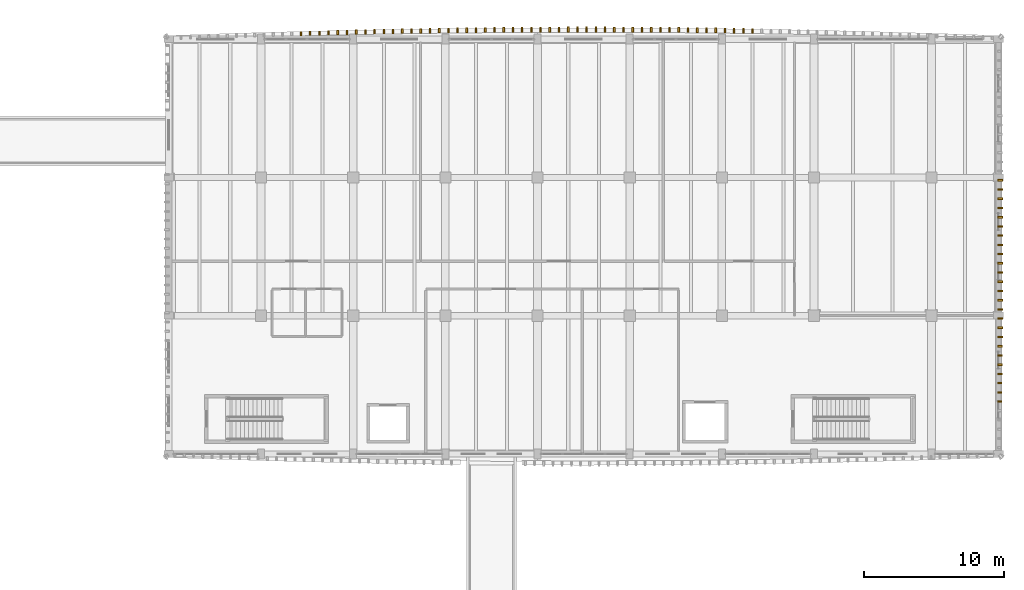
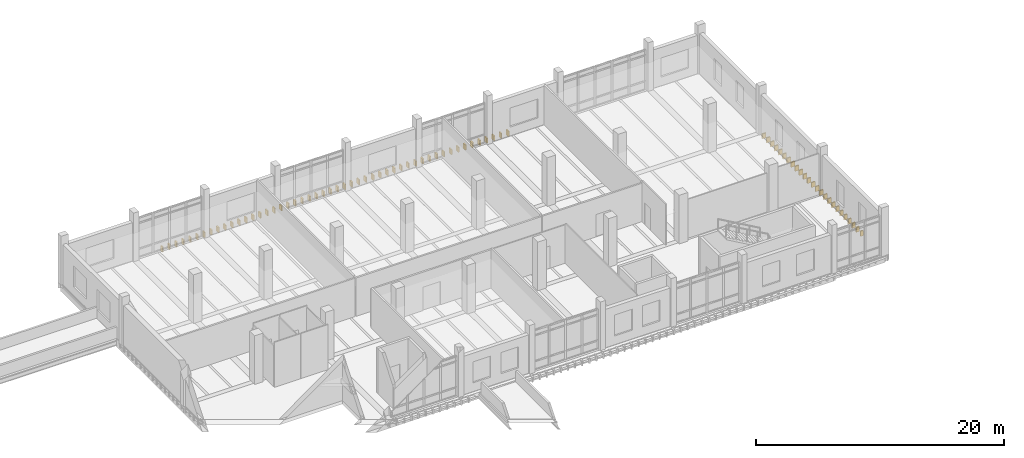
# One storey, part 100 of 101: 75 coverings.
"""IFC4 building model written with IfcOpenShell, lengths in metres."""

from ifc_helpers import new_model, si_unit, direction, frame, origin, origin_2d, place, context, subcontext, project, spatial, rectangle, extrude, material, layer, layer_set, type_object, element, save


model = new_model("IFC4")

# Units and contexts
model_context = context("Model", 3, precision=1e-05, world=origin(), true_north=direction((0.0, 1.0)))
body_context = subcontext(model_context, "Body", "Model", "MODEL_VIEW")
ifc_project = project(units=[si_unit("LENGTHUNIT", "METRE"), si_unit("AREAUNIT", "SQUARE_METRE"), si_unit("VOLUMEUNIT", "CUBIC_METRE"), si_unit("PLANEANGLEUNIT", "RADIAN"), si_unit("MASSUNIT", "GRAM", prefix="KILO")], contexts=[model_context])

# Site, building, storey
site_placement = place(None, origin())
site = spatial("IfcSite", under=ifc_project, at=site_placement, CompositionType="ELEMENT")
building_placement = place(site_placement, origin())
building = spatial("IfcBuilding", under=site, at=building_placement, Name="Dornvale Research Institute", CompositionType="ELEMENT")
storey_placement = place(building_placement, frame((0.0, 0.0, 10.199951171875)))
storey = spatial("IfcBuildingStorey", under=building, at=storey_placement, Name="L02", CompositionType="ELEMENT", Elevation=10.199951171875)

# Coverings
ifc_material = material(Name="Polychrome Glazed Terracotta Visor Rib Ceramic", Category="masonry")
ifc_layer = layer(ifc_material, 0.1201171875)
ifc_layer_set = layer_set([ifc_layer], Name="Polychrome Glazed Terracotta Visor Rib Ceramic")
covering_type = type_object("IfcCoveringType", Name="Covering_VisorBlade_Low", PredefinedType="CLADDING", material=ifc_layer_set)
covering_1_placement = place(storey_placement, frame((160.59619140625, 122.684814453125, -0.489990234375), z_axis=(0.0, 0.0, 1.0), x_axis=(0.0, 1.0, 0.0)))
element("IfcCovering", 1, at=covering_1_placement, inside=storey, type_object=covering_type, Name="L02 V4 canted glazed terracotta visor blade #2098", PredefinedType="CLADDING", context=body_context, shape_type="SweptSolid", body=[
    extrude(rectangle(XDim=0.3330078125, YDim=0.1201171875, at=origin_2d()), origin(), (0.0, 0.0, 1.0), 0.5),
])
covering_2_placement = place(storey_placement, frame((159.936279296875, 122.6962890625, -0.489990234375), z_axis=(0.0, 0.0, 1.0), x_axis=(0.0, 1.0, 0.0)))
element("IfcCovering", 2, at=covering_2_placement, inside=storey, type_object=covering_type, Name="L02 V4 canted glazed terracotta visor blade #2099", PredefinedType="CLADDING", context=body_context, shape_type="SweptSolid", body=[
    extrude(rectangle(XDim=0.3359375, YDim=0.1201171875, at=origin_2d()), origin(), (0.0, 0.0, 1.0), 0.5),
])
covering_3_placement = place(storey_placement, frame((159.276611328125, 122.706787109375, -0.489990234375), z_axis=(0.0, 0.0, 1.0), x_axis=(0.0, 1.0, 0.0)))
element("IfcCovering", 3, at=covering_3_placement, inside=storey, type_object=covering_type, Name="L02 V4 canted glazed terracotta visor blade #2100", PredefinedType="CLADDING", context=body_context, shape_type="SweptSolid", body=[
    extrude(rectangle(XDim=0.339111328125, YDim=0.1201171875, at=origin_2d()), origin(), (0.0, 0.0, 1.0), 0.5),
])
covering_4_placement = place(storey_placement, frame((158.616455078125, 122.716552734375, -0.489990234375), z_axis=(0.0, 0.0, 1.0), x_axis=(0.0, 1.0, 0.0)))
element("IfcCovering", 4, at=covering_4_placement, inside=storey, type_object=covering_type, Name="L02 V4 canted glazed terracotta visor blade #2101", PredefinedType="CLADDING", context=body_context, shape_type="SweptSolid", body=[
    extrude(rectangle(XDim=0.341064453125, YDim=0.1201171875, at=origin_2d()), origin(), (0.0, 0.0, 1.0), 0.5),
])
covering_5_placement = place(storey_placement, frame((157.95654296875, 122.725830078125, -0.489990234375), z_axis=(0.0, 0.0, 1.0), x_axis=(0.0, 1.0, 0.0)))
element("IfcCovering", 5, at=covering_5_placement, inside=storey, type_object=covering_type, Name="L02 V4 canted glazed terracotta visor blade #2102", PredefinedType="CLADDING", context=body_context, shape_type="SweptSolid", body=[
    extrude(rectangle(XDim=0.343994140625, YDim=0.1201171875, at=origin_2d()), origin(), (0.0, 0.0, 1.0), 0.5),
])
covering_6_placement = place(storey_placement, frame((157.296630859375, 122.734375, -0.489990234375), z_axis=(0.0, 0.0, 1.0), x_axis=(0.0, 1.0, 0.0)))
element("IfcCovering", 6, at=covering_6_placement, inside=storey, type_object=covering_type, Name="L02 V4 canted glazed terracotta visor blade #2103", PredefinedType="CLADDING", context=body_context, shape_type="SweptSolid", body=[
    extrude(rectangle(XDim=0.345947265625, YDim=0.1201171875, at=origin_2d()), origin(), (0.0, 0.0, 1.0), 0.5),
])
covering_7_placement = place(storey_placement, frame((156.63671875, 122.74267578125, -0.489990234375), z_axis=(0.0, 0.0, 1.0), x_axis=(0.0, 1.0, 0.0)))
element("IfcCovering", 7, at=covering_7_placement, inside=storey, type_object=covering_type, Name="L02 V4 canted glazed terracotta visor blade #2104", PredefinedType="CLADDING", context=body_context, shape_type="SweptSolid", body=[
    extrude(rectangle(XDim=0.347900390625, YDim=0.1201171875, at=origin_2d()), origin(), (0.0, 0.0, 1.0), 0.5),
])
covering_8_placement = place(storey_placement, frame((155.976806640625, 122.749755859375, -0.489990234375), z_axis=(0.0, 0.0, 1.0), x_axis=(0.0, 1.0, 0.0)))
element("IfcCovering", 8, at=covering_8_placement, inside=storey, type_object=covering_type, Name="L02 V4 canted glazed terracotta visor blade #2105", PredefinedType="CLADDING", context=body_context, shape_type="SweptSolid", body=[
    extrude(rectangle(XDim=0.35009765625, YDim=0.1201171875, at=origin_2d()), origin(), (0.0, 0.0, 1.0), 0.5),
])
covering_9_placement = place(storey_placement, frame((155.316650390625, 122.7568359375, -0.489990234375), z_axis=(0.0, 0.0, 1.0), x_axis=(0.0, 1.0, 0.0)))
element("IfcCovering", 9, at=covering_9_placement, inside=storey, type_object=covering_type, Name="L02 V4 canted glazed terracotta visor blade #2106", PredefinedType="CLADDING", context=body_context, shape_type="SweptSolid", body=[
    extrude(rectangle(XDim=0.35205078125, YDim=0.1201171875, at=origin_2d()), origin(), (0.0, 0.0, 1.0), 0.5),
])
covering_10_placement = place(storey_placement, frame((154.65673828125, 122.762451171875, -0.489990234375), z_axis=(0.0, 0.0, 1.0), x_axis=(0.0, 1.0, 0.0)))
element("IfcCovering", 10, at=covering_10_placement, inside=storey, type_object=covering_type, Name="L02 V4 canted glazed terracotta visor blade #2107", PredefinedType="CLADDING", context=body_context, shape_type="SweptSolid", body=[
    extrude(rectangle(XDim=0.35302734375, YDim=0.1201171875, at=origin_2d()), origin(), (0.0, 0.0, 1.0), 0.5),
])
covering_11_placement = place(storey_placement, frame((153.99658203125, 122.768310546875, -0.489990234375), z_axis=(0.0, 0.0, 1.0), x_axis=(0.0, 1.0, 0.0)))
element("IfcCovering", 11, at=covering_11_placement, inside=storey, type_object=covering_type, Name="L02 V4 canted glazed terracotta visor blade #2108", PredefinedType="CLADDING", context=body_context, shape_type="SweptSolid", body=[
    extrude(rectangle(XDim=0.35498046875, YDim=0.1201171875, at=origin_2d()), origin(), (0.0, 0.0, 1.0), 0.5),
])
covering_12_placement = place(storey_placement, frame((153.3369140625, 122.773193359375, -0.489990234375), z_axis=(0.0, 0.0, 1.0), x_axis=(0.0, 1.0, 0.0)))
element("IfcCovering", 12, at=covering_12_placement, inside=storey, type_object=covering_type, Name="L02 V4 canted glazed terracotta visor blade #2109", PredefinedType="CLADDING", context=body_context, shape_type="SweptSolid", body=[
    extrude(rectangle(XDim=0.35595703125, YDim=0.1201171875, at=origin_2d()), origin(), (0.0, 0.0, 1.0), 0.5),
])
covering_13_placement = place(storey_placement, frame((152.6767578125, 122.777099609375, -0.489990234375), z_axis=(0.0, 0.0, 1.0), x_axis=(0.0, 1.0, 0.0)))
element("IfcCovering", 13, at=covering_13_placement, inside=storey, type_object=covering_type, Name="L02 V4 canted glazed terracotta visor blade #2110", PredefinedType="CLADDING", context=body_context, shape_type="SweptSolid", body=[
    extrude(rectangle(XDim=0.35693359375, YDim=0.1201171875, at=origin_2d()), origin(), (0.0, 0.0, 1.0), 0.5),
])
covering_14_placement = place(storey_placement, frame((152.016845703125, 122.781005859375, -0.489990234375), z_axis=(0.0, 0.0, 1.0), x_axis=(0.0, 1.0, 0.0)))
element("IfcCovering", 14, at=covering_14_placement, inside=storey, type_object=covering_type, Name="L02 V4 canted glazed terracotta visor blade #2111", PredefinedType="CLADDING", context=body_context, shape_type="SweptSolid", body=[
    extrude(rectangle(XDim=0.35791015625, YDim=0.1201171875, at=origin_2d()), origin(), (0.0, 0.0, 1.0), 0.5),
])
for number, where, z_axis, x_axis, name in (
    (15, (151.356689453125, 122.7841796875, -0.489990234375), (0.0, 0.0, 1.0), (0.0, 1.0, 0.0), "L02 V4 canted glazed terracotta visor blade #2112"),
    (16, (150.69677734375, 122.7861328125, -0.489990234375), (0.0, 0.0, 1.0), (0.0, 1.0, 0.0), "L02 V4 canted glazed terracotta visor blade #2113"),
):
    element("IfcCovering", number, at=place(storey_placement, frame(where, z_axis=z_axis, x_axis=x_axis)), inside=storey, type_object=covering_type, Name=name, PredefinedType="CLADDING", context=body_context, shape_type="SweptSolid", body=[
        extrude(rectangle(XDim=0.35888671875, YDim=0.1201171875, at=origin_2d()), origin(), (0.0, 0.0, 1.0), 0.5),
    ])
for number, where, z_axis, x_axis, name in (
    (17, (150.036865234375, 122.788330078125, -0.489990234375), (0.0, 0.0, 1.0), (0.0, 1.0, 0.0), "L02 V4 canted glazed terracotta visor blade #2114"),
    (18, (149.376708984375, 122.7890625, -0.489990234375), (0.0, 0.0, 1.0), (0.0, 1.0, 0.0), "L02 V4 canted glazed terracotta visor blade #2115"),
    (19, (148.716796875, 122.789794921875, -0.489990234375), (0.0, 0.0, 1.0), (0.0, 1.0, 0.0), "L02 V4 canted glazed terracotta visor blade #2116"),
    (20, (148.056884765625, 122.78955078125, -0.489990234375), (0.0, 0.0, 1.0), (0.0, 1.0, 0.0), "L02 V4 canted glazed terracotta visor blade #2117"),
    (21, (147.396728515625, 122.788818359375, -0.489990234375), (0.0, 0.0, 1.0), (0.0, 1.0, 0.0), "L02 V4 canted glazed terracotta visor blade #2118"),
):
    element("IfcCovering", number, at=place(storey_placement, frame(where, z_axis=z_axis, x_axis=x_axis)), inside=storey, type_object=covering_type, Name=name, PredefinedType="CLADDING", context=body_context, shape_type="SweptSolid", body=[
        extrude(rectangle(XDim=0.360107421875, YDim=0.1201171875, at=origin_2d()), origin(), (0.0, 0.0, 1.0), 0.5),
    ])
for number, where, z_axis, x_axis, name in (
    (22, (146.73681640625, 122.78759765625, -0.489990234375), (0.0, 0.0, 1.0), (0.0, 1.0, 0.0), "L02 V4 canted glazed terracotta visor blade #2119"),
    (23, (146.076904296875, 122.785400390625, -0.489990234375), (0.0, 0.0, 1.0), (0.0, 1.0, 0.0), "L02 V4 canted glazed terracotta visor blade #2120"),
):
    element("IfcCovering", number, at=place(storey_placement, frame(where, z_axis=z_axis, x_axis=x_axis)), inside=storey, type_object=covering_type, Name=name, PredefinedType="CLADDING", context=body_context, shape_type="SweptSolid", body=[
        extrude(rectangle(XDim=0.35888671875, YDim=0.1201171875, at=origin_2d()), origin(), (0.0, 0.0, 1.0), 0.5),
    ])
covering_15_placement = place(storey_placement, frame((145.416748046875, 122.782958984375, -0.489990234375), z_axis=(0.0, 0.0, 1.0), x_axis=(0.0, 1.0, 0.0)))
element("IfcCovering", 24, at=covering_15_placement, inside=storey, type_object=covering_type, Name="L02 V4 canted glazed terracotta visor blade #2121", PredefinedType="CLADDING", context=body_context, shape_type="SweptSolid", body=[
    extrude(rectangle(XDim=0.35791015625, YDim=0.1201171875, at=origin_2d()), origin(), (0.0, 0.0, 1.0), 0.5),
])
covering_16_placement = place(storey_placement, frame((144.7568359375, 122.779296875, -0.489990234375), z_axis=(0.0, 0.0, 1.0), x_axis=(0.0, 1.0, 0.0)))
element("IfcCovering", 25, at=covering_16_placement, inside=storey, type_object=covering_type, Name="L02 V4 canted glazed terracotta visor blade #2122", PredefinedType="CLADDING", context=body_context, shape_type="SweptSolid", body=[
    extrude(rectangle(XDim=0.35693359375, YDim=0.1201171875, at=origin_2d()), origin(), (0.0, 0.0, 1.0), 0.5),
])
covering_17_placement = place(storey_placement, frame((144.0966796875, 122.775390625, -0.489990234375), z_axis=(0.0, 0.0, 1.0), x_axis=(0.0, 1.0, 0.0)))
element("IfcCovering", 26, at=covering_17_placement, inside=storey, type_object=covering_type, Name="L02 V4 canted glazed terracotta visor blade #2123", PredefinedType="CLADDING", context=body_context, shape_type="SweptSolid", body=[
    extrude(rectangle(XDim=0.35595703125, YDim=0.1201171875, at=origin_2d()), origin(), (0.0, 0.0, 1.0), 0.5),
])
covering_18_placement = place(storey_placement, frame((143.436767578125, 122.771484375, -0.489990234375), z_axis=(0.0, 0.0, 1.0), x_axis=(0.0, 1.0, 0.0)))
element("IfcCovering", 27, at=covering_18_placement, inside=storey, type_object=covering_type, Name="L02 V4 canted glazed terracotta visor blade #2124", PredefinedType="CLADDING", context=body_context, shape_type="SweptSolid", body=[
    extrude(rectangle(XDim=0.35498046875, YDim=0.1201171875, at=origin_2d()), origin(), (0.0, 0.0, 1.0), 0.5),
])
covering_19_placement = place(storey_placement, frame((142.77685546875, 122.76611328125, -0.489990234375), z_axis=(0.0, 0.0, 1.0), x_axis=(0.0, 1.0, 0.0)))
element("IfcCovering", 28, at=covering_19_placement, inside=storey, type_object=covering_type, Name="L02 V4 canted glazed terracotta visor blade #2125", PredefinedType="CLADDING", context=body_context, shape_type="SweptSolid", body=[
    extrude(rectangle(XDim=0.35400390625, YDim=0.1201171875, at=origin_2d()), origin(), (0.0, 0.0, 1.0), 0.5),
])
covering_20_placement = place(storey_placement, frame((142.116943359375, 122.760986328125, -0.489990234375), z_axis=(0.0, 0.0, 1.0), x_axis=(0.0, 1.0, 0.0)))
element("IfcCovering", 29, at=covering_20_placement, inside=storey, type_object=covering_type, Name="L02 V4 canted glazed terracotta visor blade #2126", PredefinedType="CLADDING", context=body_context, shape_type="SweptSolid", body=[
    extrude(rectangle(XDim=0.35302734375, YDim=0.1201171875, at=origin_2d()), origin(), (0.0, 0.0, 1.0), 0.5),
])
covering_21_placement = place(storey_placement, frame((141.456787109375, 122.754150390625, -0.489990234375), z_axis=(0.0, 0.0, 1.0), x_axis=(0.0, 1.0, 0.0)))
element("IfcCovering", 30, at=covering_21_placement, inside=storey, type_object=covering_type, Name="L02 V4 canted glazed terracotta visor blade #2127", PredefinedType="CLADDING", context=body_context, shape_type="SweptSolid", body=[
    extrude(rectangle(XDim=0.35107421875, YDim=0.1201171875, at=origin_2d()), origin(), (0.0, 0.0, 1.0), 0.5),
])
covering_22_placement = place(storey_placement, frame((140.796875, 122.7470703125, -0.489990234375), z_axis=(0.0, 0.0, 1.0), x_axis=(0.0, 1.0, 0.0)))
element("IfcCovering", 31, at=covering_22_placement, inside=storey, type_object=covering_type, Name="L02 V4 canted glazed terracotta visor blade #2128", PredefinedType="CLADDING", context=body_context, shape_type="SweptSolid", body=[
    extrude(rectangle(XDim=0.34912109375, YDim=0.1201171875, at=origin_2d()), origin(), (0.0, 0.0, 1.0), 0.5),
])
covering_23_placement = place(storey_placement, frame((140.136962890625, 122.73974609375, -0.489990234375), z_axis=(0.0, 0.0, 1.0), x_axis=(0.0, 1.0, 0.0)))
element("IfcCovering", 32, at=covering_23_placement, inside=storey, type_object=covering_type, Name="L02 V4 canted glazed terracotta visor blade #2129", PredefinedType="CLADDING", context=body_context, shape_type="SweptSolid", body=[
    extrude(rectangle(XDim=0.346923828125, YDim=0.1201171875, at=origin_2d()), origin(), (0.0, 0.0, 1.0), 0.5),
])
covering_24_placement = place(storey_placement, frame((139.47705078125, 122.731201171875, -0.489990234375), z_axis=(0.0, 0.0, 1.0), x_axis=(0.0, 1.0, 0.0)))
element("IfcCovering", 33, at=covering_24_placement, inside=storey, type_object=covering_type, Name="L02 V4 canted glazed terracotta visor blade #2130", PredefinedType="CLADDING", context=body_context, shape_type="SweptSolid", body=[
    extrude(rectangle(XDim=0.344970703125, YDim=0.1201171875, at=origin_2d()), origin(), (0.0, 0.0, 1.0), 0.5),
])
covering_25_placement = place(storey_placement, frame((138.81689453125, 122.722900390625, -0.489990234375), z_axis=(0.0, 0.0, 1.0), x_axis=(0.0, 1.0, 0.0)))
element("IfcCovering", 34, at=covering_25_placement, inside=storey, type_object=covering_type, Name="L02 V4 canted glazed terracotta visor blade #2131", PredefinedType="CLADDING", context=body_context, shape_type="SweptSolid", body=[
    extrude(rectangle(XDim=0.343017578125, YDim=0.1201171875, at=origin_2d()), origin(), (0.0, 0.0, 1.0), 0.5),
])
covering_26_placement = place(storey_placement, frame((138.156982421875, 122.71337890625, -0.489990234375), z_axis=(0.0, 0.0, 1.0), x_axis=(0.0, 1.0, 0.0)))
element("IfcCovering", 35, at=covering_26_placement, inside=storey, type_object=covering_type, Name="L02 V4 canted glazed terracotta visor blade #2132", PredefinedType="CLADDING", context=body_context, shape_type="SweptSolid", body=[
    extrude(rectangle(XDim=0.341064453125, YDim=0.1201171875, at=origin_2d()), origin(), (0.0, 0.0, 1.0), 0.5),
])
covering_27_placement = place(storey_placement, frame((137.4970703125, 122.703125, -0.489990234375), z_axis=(0.0, 0.0, 1.0), x_axis=(0.0, 1.0, 0.0)))
element("IfcCovering", 36, at=covering_27_placement, inside=storey, type_object=covering_type, Name="L02 V4 canted glazed terracotta visor blade #2133", PredefinedType="CLADDING", context=body_context, shape_type="SweptSolid", body=[
    extrude(rectangle(XDim=0.337890625, YDim=0.1201171875, at=origin_2d()), origin(), (0.0, 0.0, 1.0), 0.5),
])
covering_28_placement = place(storey_placement, frame((136.837158203125, 122.692626953125, -0.489990234375), z_axis=(0.0, 0.0, 1.0), x_axis=(0.0, 1.0, 0.0)))
element("IfcCovering", 37, at=covering_28_placement, inside=storey, type_object=covering_type, Name="L02 V4 canted glazed terracotta visor blade #2134", PredefinedType="CLADDING", context=body_context, shape_type="SweptSolid", body=[
    extrude(rectangle(XDim=0.3349609375, YDim=0.1201171875, at=origin_2d()), origin(), (0.0, 0.0, 1.0), 0.5),
])
covering_29_placement = place(storey_placement, frame((136.17724609375, 122.680908203125, -0.489990234375), z_axis=(0.0, 0.0, 1.0), x_axis=(0.0, 1.0, 0.0)))
element("IfcCovering", 38, at=covering_29_placement, inside=storey, type_object=covering_type, Name="L02 V4 canted glazed terracotta visor blade #2135", PredefinedType="CLADDING", context=body_context, shape_type="SweptSolid", body=[
    extrude(rectangle(XDim=0.33203125, YDim=0.1201171875, at=origin_2d()), origin(), (0.0, 0.0, 1.0), 0.5),
])
covering_30_placement = place(storey_placement, frame((135.517333984375, 122.669189453125, -0.489990234375), z_axis=(0.0, 0.0, 1.0), x_axis=(0.0, 1.0, 0.0)))
element("IfcCovering", 39, at=covering_30_placement, inside=storey, type_object=covering_type, Name="L02 V4 canted glazed terracotta visor blade #2136", PredefinedType="CLADDING", context=body_context, shape_type="SweptSolid", body=[
    extrude(rectangle(XDim=0.3291015625, YDim=0.1201171875, at=origin_2d()), origin(), (0.0, 0.0, 1.0), 0.5),
])
covering_31_placement = place(storey_placement, frame((134.857421875, 122.656494140625, -0.489990234375), z_axis=(0.0, 0.0, 1.0), x_axis=(0.0, 1.0, 0.0)))
element("IfcCovering", 40, at=covering_31_placement, inside=storey, type_object=covering_type, Name="L02 V4 canted glazed terracotta visor blade #2137", PredefinedType="CLADDING", context=body_context, shape_type="SweptSolid", body=[
    extrude(rectangle(XDim=0.325927734375, YDim=0.1201171875, at=origin_2d()), origin(), (0.0, 0.0, 1.0), 0.5),
])
covering_32_placement = place(storey_placement, frame((134.197509765625, 122.6435546875, -0.489990234375), z_axis=(0.0, 0.0, 1.0), x_axis=(0.0, 1.0, 0.0)))
element("IfcCovering", 41, at=covering_32_placement, inside=storey, type_object=covering_type, Name="L02 V4 canted glazed terracotta visor blade #2138", PredefinedType="CLADDING", context=body_context, shape_type="SweptSolid", body=[
    extrude(rectangle(XDim=0.322998046875, YDim=0.1201171875, at=origin_2d()), origin(), (0.0, 0.0, 1.0), 0.5),
])
covering_33_placement = place(storey_placement, frame((133.53759765625, 122.6298828125, -0.489990234375), z_axis=(0.0, 0.0, 1.0), x_axis=(0.0, 1.0, 0.0)))
element("IfcCovering", 42, at=covering_33_placement, inside=storey, type_object=covering_type, Name="L02 V4 canted glazed terracotta visor blade #2139", PredefinedType="CLADDING", context=body_context, shape_type="SweptSolid", body=[
    extrude(rectangle(XDim=0.319091796875, YDim=0.1201171875, at=origin_2d()), origin(), (0.0, 0.0, 1.0), 0.5),
])
covering_34_placement = place(storey_placement, frame((132.877685546875, 122.615478515625, -0.489990234375), z_axis=(0.0, 0.0, 1.0), x_axis=(0.0, 1.0, 0.0)))
element("IfcCovering", 43, at=covering_34_placement, inside=storey, type_object=covering_type, Name="L02 V4 canted glazed terracotta visor blade #2140", PredefinedType="CLADDING", context=body_context, shape_type="SweptSolid", body=[
    extrude(rectangle(XDim=0.31591796875, YDim=0.1201171875, at=origin_2d()), origin(), (0.0, 0.0, 1.0), 0.5),
])
covering_35_placement = place(storey_placement, frame((132.218017578125, 122.6005859375, -0.489990234375), z_axis=(0.0, 0.0, 1.0), x_axis=(0.0, 1.0, 0.0)))
element("IfcCovering", 44, at=covering_35_placement, inside=storey, type_object=covering_type, Name="L02 V4 canted glazed terracotta visor blade #2141", PredefinedType="CLADDING", context=body_context, shape_type="SweptSolid", body=[
    extrude(rectangle(XDim=0.31201171875, YDim=0.1201171875, at=origin_2d()), origin(), (0.0, 0.0, 1.0), 0.5),
])
covering_36_placement = place(storey_placement, frame((131.55810546875, 122.584716796875, -0.489990234375), z_axis=(0.0, 0.0, 1.0), x_axis=(0.0, 1.0, 0.0)))
element("IfcCovering", 45, at=covering_36_placement, inside=storey, type_object=covering_type, Name="L02 V4 canted glazed terracotta visor blade #2142", PredefinedType="CLADDING", context=body_context, shape_type="SweptSolid", body=[
    extrude(rectangle(XDim=0.30810546875, YDim=0.1201171875, at=origin_2d()), origin(), (0.0, 0.0, 1.0), 0.5),
])
covering_37_placement = place(storey_placement, frame((130.898193359375, 122.568359375, -0.489990234375), z_axis=(0.0, 0.0, 1.0), x_axis=(0.0, 1.0, 0.0)))
element("IfcCovering", 46, at=covering_37_placement, inside=storey, type_object=covering_type, Name="L02 V4 canted glazed terracotta visor blade #2143", PredefinedType="CLADDING", context=body_context, shape_type="SweptSolid", body=[
    extrude(rectangle(XDim=0.303955078125, YDim=0.1201171875, at=origin_2d()), origin(), (0.0, 0.0, 1.0), 0.5),
])
covering_38_placement = place(storey_placement, frame((130.23828125, 122.552001953125, -0.489990234375), z_axis=(0.0, 0.0, 1.0), x_axis=(0.0, 1.0, 0.0)))
element("IfcCovering", 47, at=covering_38_placement, inside=storey, type_object=covering_type, Name="L02 V4 canted glazed terracotta visor blade #2144", PredefinedType="CLADDING", context=body_context, shape_type="SweptSolid", body=[
    extrude(rectangle(XDim=0.300048828125, YDim=0.1201171875, at=origin_2d()), origin(), (0.0, 0.0, 1.0), 0.5),
])
covering_39_placement = place(storey_placement, frame((129.57861328125, 122.533935546875, -0.489990234375), z_axis=(0.0, 0.0, 1.0), x_axis=(0.0, 1.0, 0.0)))
element("IfcCovering", 48, at=covering_39_placement, inside=storey, type_object=covering_type, Name="L02 V4 canted glazed terracotta visor blade #2145", PredefinedType="CLADDING", context=body_context, shape_type="SweptSolid", body=[
    extrude(rectangle(XDim=0.294921875, YDim=0.1201171875, at=origin_2d()), origin(), (0.0, 0.0, 1.0), 0.5),
])
covering_40_placement = place(storey_placement, frame((128.918701171875, 122.515869140625, -0.489990234375), z_axis=(0.0, 0.0, 1.0), x_axis=(0.0, 1.0, 0.0)))
element("IfcCovering", 49, at=covering_40_placement, inside=storey, type_object=covering_type, Name="L02 V4 canted glazed terracotta visor blade #2146", PredefinedType="CLADDING", context=body_context, shape_type="SweptSolid", body=[
    extrude(rectangle(XDim=0.2900390625, YDim=0.1201171875, at=origin_2d()), origin(), (0.0, 0.0, 1.0), 0.5),
])
covering_41_placement = place(storey_placement, frame((128.2587890625, 122.497314453125, -0.489990234375), z_axis=(0.0, 0.0, 1.0), x_axis=(0.0, 1.0, 0.0)))
element("IfcCovering", 50, at=covering_41_placement, inside=storey, type_object=covering_type, Name="L02 V4 canted glazed terracotta visor blade #2147", PredefinedType="CLADDING", context=body_context, shape_type="SweptSolid", body=[
    extrude(rectangle(XDim=0.285888671875, YDim=0.1201171875, at=origin_2d()), origin(), (0.0, 0.0, 1.0), 0.5),
])
covering_42_placement = place(storey_placement, frame((178.29541015625, 96.14990234375, -0.489990234375), z_axis=(0.0, 0.0, 1.0), x_axis=(1.0, 0.0, 0.0)))
element("IfcCovering", 51, at=covering_42_placement, inside=storey, type_object=covering_type, Name="L02 V4 canted glazed terracotta visor blade #2166", PredefinedType="CLADDING", context=body_context, shape_type="SweptSolid", body=[
    extrude(rectangle(XDim=0.27099609375, YDim=0.1201171875, at=origin_2d()), origin(), (0.0, 0.0, 1.0), 0.5),
])
covering_43_placement = place(storey_placement, frame((178.300537109375, 96.81005859375, -0.489990234375), z_axis=(0.0, 0.0, 1.0), x_axis=(1.0, 0.0, 0.0)))
element("IfcCovering", 52, at=covering_43_placement, inside=storey, type_object=covering_type, Name="L02 V4 canted glazed terracotta visor blade #2167", PredefinedType="CLADDING", context=body_context, shape_type="SweptSolid", body=[
    extrude(rectangle(XDim=0.281005859375, YDim=0.1201171875, at=origin_2d()), origin(), (0.0, 0.0, 1.0), 0.5),
])
covering_44_placement = place(storey_placement, frame((178.305419921875, 97.469970703125, -0.489990234375), z_axis=(0.0, 0.0, 1.0), x_axis=(1.0, 0.0, 0.0)))
element("IfcCovering", 53, at=covering_44_placement, inside=storey, type_object=covering_type, Name="L02 V4 canted glazed terracotta visor blade #2168", PredefinedType="CLADDING", context=body_context, shape_type="SweptSolid", body=[
    extrude(rectangle(XDim=0.291015625, YDim=0.1201171875, at=origin_2d()), origin(), (0.0, 0.0, 1.0), 0.5),
])
covering_45_placement = place(storey_placement, frame((178.31005859375, 98.1298828125, -0.489990234375), z_axis=(0.0, 0.0, 1.0), x_axis=(1.0, 0.0, 0.0)))
element("IfcCovering", 54, at=covering_45_placement, inside=storey, type_object=covering_type, Name="L02 V4 canted glazed terracotta visor blade #2169", PredefinedType="CLADDING", context=body_context, shape_type="SweptSolid", body=[
    extrude(rectangle(XDim=0.300048828125, YDim=0.1201171875, at=origin_2d()), origin(), (0.0, 0.0, 1.0), 0.5),
])
covering_46_placement = place(storey_placement, frame((178.31396484375, 98.7900390625, -0.489990234375), z_axis=(0.0, 0.0, 1.0), x_axis=(1.0, 0.0, 0.0)))
element("IfcCovering", 55, at=covering_46_placement, inside=storey, type_object=covering_type, Name="L02 V4 canted glazed terracotta visor blade #2170", PredefinedType="CLADDING", context=body_context, shape_type="SweptSolid", body=[
    extrude(rectangle(XDim=0.30810546875, YDim=0.1201171875, at=origin_2d()), origin(), (0.0, 0.0, 1.0), 0.5),
])
covering_47_placement = place(storey_placement, frame((178.318115234375, 99.449951171875, -0.489990234375), z_axis=(0.0, 0.0, 1.0), x_axis=(1.0, 0.0, 0.0)))
element("IfcCovering", 56, at=covering_47_placement, inside=storey, type_object=covering_type, Name="L02 V4 canted glazed terracotta visor blade #2171", PredefinedType="CLADDING", context=body_context, shape_type="SweptSolid", body=[
    extrude(rectangle(XDim=0.31591796875, YDim=0.1201171875, at=origin_2d()), origin(), (0.0, 0.0, 1.0), 0.5),
])
covering_48_placement = place(storey_placement, frame((178.321533203125, 100.110107421875, -0.489990234375), z_axis=(0.0, 0.0, 1.0), x_axis=(1.0, 0.0, 0.0)))
element("IfcCovering", 57, at=covering_48_placement, inside=storey, type_object=covering_type, Name="L02 V4 canted glazed terracotta visor blade #2172", PredefinedType="CLADDING", context=body_context, shape_type="SweptSolid", body=[
    extrude(rectangle(XDim=0.322998046875, YDim=0.1201171875, at=origin_2d()), origin(), (0.0, 0.0, 1.0), 0.5),
])
covering_49_placement = place(storey_placement, frame((178.324951171875, 100.77001953125, -0.489990234375), z_axis=(0.0, 0.0, 1.0), x_axis=(1.0, 0.0, 0.0)))
element("IfcCovering", 58, at=covering_49_placement, inside=storey, type_object=covering_type, Name="L02 V4 canted glazed terracotta visor blade #2173", PredefinedType="CLADDING", context=body_context, shape_type="SweptSolid", body=[
    extrude(rectangle(XDim=0.330078125, YDim=0.1201171875, at=origin_2d()), origin(), (0.0, 0.0, 1.0), 0.5),
])
covering_50_placement = place(storey_placement, frame((178.327392578125, 101.429931640625, -0.489990234375), z_axis=(0.0, 0.0, 1.0), x_axis=(1.0, 0.0, 0.0)))
element("IfcCovering", 59, at=covering_50_placement, inside=storey, type_object=covering_type, Name="L02 V4 canted glazed terracotta visor blade #2174", PredefinedType="CLADDING", context=body_context, shape_type="SweptSolid", body=[
    extrude(rectangle(XDim=0.3349609375, YDim=0.1201171875, at=origin_2d()), origin(), (0.0, 0.0, 1.0), 0.5),
])
covering_51_placement = place(storey_placement, frame((178.33056640625, 102.090087890625, -0.489990234375), z_axis=(0.0, 0.0, 1.0), x_axis=(1.0, 0.0, 0.0)))
element("IfcCovering", 60, at=covering_51_placement, inside=storey, type_object=covering_type, Name="L02 V4 canted glazed terracotta visor blade #2175", PredefinedType="CLADDING", context=body_context, shape_type="SweptSolid", body=[
    extrude(rectangle(XDim=0.341064453125, YDim=0.1201171875, at=origin_2d()), origin(), (0.0, 0.0, 1.0), 0.5),
])
covering_52_placement = place(storey_placement, frame((178.33251953125, 102.75, -0.489990234375), z_axis=(0.0, 0.0, 1.0), x_axis=(1.0, 0.0, 0.0)))
element("IfcCovering", 61, at=covering_52_placement, inside=storey, type_object=covering_type, Name="L02 V4 canted glazed terracotta visor blade #2176", PredefinedType="CLADDING", context=body_context, shape_type="SweptSolid", body=[
    extrude(rectangle(XDim=0.344970703125, YDim=0.1201171875, at=origin_2d()), origin(), (0.0, 0.0, 1.0), 0.5),
])
covering_53_placement = place(storey_placement, frame((178.33447265625, 103.409912109375, -0.489990234375), z_axis=(0.0, 0.0, 1.0), x_axis=(1.0, 0.0, 0.0)))
element("IfcCovering", 62, at=covering_53_placement, inside=storey, type_object=covering_type, Name="L02 V4 canted glazed terracotta visor blade #2177", PredefinedType="CLADDING", context=body_context, shape_type="SweptSolid", body=[
    extrude(rectangle(XDim=0.34912109375, YDim=0.1201171875, at=origin_2d()), origin(), (0.0, 0.0, 1.0), 0.5),
])
covering_54_placement = place(storey_placement, frame((178.33642578125, 104.070068359375, -0.489990234375), z_axis=(0.0, 0.0, 1.0), x_axis=(1.0, 0.0, 0.0)))
element("IfcCovering", 63, at=covering_54_placement, inside=storey, type_object=covering_type, Name="L02 V4 canted glazed terracotta visor blade #2178", PredefinedType="CLADDING", context=body_context, shape_type="SweptSolid", body=[
    extrude(rectangle(XDim=0.35302734375, YDim=0.1201171875, at=origin_2d()), origin(), (0.0, 0.0, 1.0), 0.5),
])
covering_55_placement = place(storey_placement, frame((178.33740234375, 104.72998046875, -0.489990234375), z_axis=(0.0, 0.0, 1.0), x_axis=(1.0, 0.0, 0.0)))
element("IfcCovering", 64, at=covering_55_placement, inside=storey, type_object=covering_type, Name="L02 V4 canted glazed terracotta visor blade #2179", PredefinedType="CLADDING", context=body_context, shape_type="SweptSolid", body=[
    extrude(rectangle(XDim=0.35498046875, YDim=0.1201171875, at=origin_2d()), origin(), (0.0, 0.0, 1.0), 0.5),
])
covering_56_placement = place(storey_placement, frame((178.33837890625, 105.389892578125, -0.489990234375), z_axis=(0.0, 0.0, 1.0), x_axis=(1.0, 0.0, 0.0)))
element("IfcCovering", 65, at=covering_56_placement, inside=storey, type_object=covering_type, Name="L02 V4 canted glazed terracotta visor blade #2180", PredefinedType="CLADDING", context=body_context, shape_type="SweptSolid", body=[
    extrude(rectangle(XDim=0.35693359375, YDim=0.1201171875, at=origin_2d()), origin(), (0.0, 0.0, 1.0), 0.5),
])
covering_57_placement = place(storey_placement, frame((178.339599609375, 106.050048828125, -0.489990234375), z_axis=(0.0, 0.0, 1.0), x_axis=(1.0, 0.0, 0.0)))
element("IfcCovering", 66, at=covering_57_placement, inside=storey, type_object=covering_type, Name="L02 V4 canted glazed terracotta visor blade #2181", PredefinedType="CLADDING", context=body_context, shape_type="SweptSolid", body=[
    extrude(rectangle(XDim=0.35888671875, YDim=0.1201171875, at=origin_2d()), origin(), (0.0, 0.0, 1.0), 0.5),
])
for number, where, z_axis, x_axis, name in (
    (67, (178.340087890625, 106.7099609375, -0.489990234375), (0.0, 0.0, 1.0), (1.0, 0.0, 0.0), "L02 V4 canted glazed terracotta visor blade #2182"),
    (68, (178.340087890625, 107.3701171875, -0.489990234375), (0.0, 0.0, 1.0), (1.0, 0.0, 0.0), "L02 V4 canted glazed terracotta visor blade #2183"),
    (69, (178.340087890625, 108.030029296875, -0.489990234375), (0.0, 0.0, 1.0), (1.0, 0.0, 0.0), "L02 V4 canted glazed terracotta visor blade #2184"),
):
    element("IfcCovering", number, at=place(storey_placement, frame(where, z_axis=z_axis, x_axis=x_axis)), inside=storey, type_object=covering_type, Name=name, PredefinedType="CLADDING", context=body_context, shape_type="SweptSolid", body=[
        extrude(rectangle(XDim=0.360107421875, YDim=0.1201171875, at=origin_2d()), origin(), (0.0, 0.0, 1.0), 0.5),
    ])
covering_58_placement = place(storey_placement, frame((178.339111328125, 108.68994140625, -0.489990234375), z_axis=(0.0, 0.0, 1.0), x_axis=(1.0, 0.0, 0.0)))
element("IfcCovering", 70, at=covering_58_placement, inside=storey, type_object=covering_type, Name="L02 V4 canted glazed terracotta visor blade #2185", PredefinedType="CLADDING", context=body_context, shape_type="SweptSolid", body=[
    extrude(rectangle(XDim=0.35791015625, YDim=0.1201171875, at=origin_2d()), origin(), (0.0, 0.0, 1.0), 0.5),
])
covering_59_placement = place(storey_placement, frame((178.33837890625, 109.35009765625, -0.489990234375), z_axis=(0.0, 0.0, 1.0), x_axis=(1.0, 0.0, 0.0)))
element("IfcCovering", 71, at=covering_59_placement, inside=storey, type_object=covering_type, Name="L02 V4 canted glazed terracotta visor blade #2186", PredefinedType="CLADDING", context=body_context, shape_type="SweptSolid", body=[
    extrude(rectangle(XDim=0.35693359375, YDim=0.1201171875, at=origin_2d()), origin(), (0.0, 0.0, 1.0), 0.5),
])
covering_60_placement = place(storey_placement, frame((178.3369140625, 110.010009765625, -0.489990234375), z_axis=(0.0, 0.0, 1.0), x_axis=(1.0, 0.0, 0.0)))
element("IfcCovering", 72, at=covering_60_placement, inside=storey, type_object=covering_type, Name="L02 V4 canted glazed terracotta visor blade #2187", PredefinedType="CLADDING", context=body_context, shape_type="SweptSolid", body=[
    extrude(rectangle(XDim=0.35400390625, YDim=0.1201171875, at=origin_2d()), origin(), (0.0, 0.0, 1.0), 0.5),
])
covering_61_placement = place(storey_placement, frame((178.3359375, 110.669921875, -0.489990234375), z_axis=(0.0, 0.0, 1.0), x_axis=(1.0, 0.0, 0.0)))
element("IfcCovering", 73, at=covering_61_placement, inside=storey, type_object=covering_type, Name="L02 V4 canted glazed terracotta visor blade #2188", PredefinedType="CLADDING", context=body_context, shape_type="SweptSolid", body=[
    extrude(rectangle(XDim=0.35205078125, YDim=0.1201171875, at=origin_2d()), origin(), (0.0, 0.0, 1.0), 0.5),
])
covering_62_placement = place(storey_placement, frame((178.333984375, 111.330078125, -0.489990234375), z_axis=(0.0, 0.0, 1.0), x_axis=(1.0, 0.0, 0.0)))
element("IfcCovering", 74, at=covering_62_placement, inside=storey, type_object=covering_type, Name="L02 V4 canted glazed terracotta visor blade #2189", PredefinedType="CLADDING", context=body_context, shape_type="SweptSolid", body=[
    extrude(rectangle(XDim=0.347900390625, YDim=0.1201171875, at=origin_2d()), origin(), (0.0, 0.0, 1.0), 0.5),
])
covering_63_placement = place(storey_placement, frame((178.33203125, 111.989990234375, -0.489990234375), z_axis=(0.0, 0.0, 1.0), x_axis=(1.0, 0.0, 0.0)))
element("IfcCovering", 75, at=covering_63_placement, inside=storey, type_object=covering_type, Name="L02 V4 canted glazed terracotta visor blade #2190", PredefinedType="CLADDING", context=body_context, shape_type="SweptSolid", body=[
    extrude(rectangle(XDim=0.343994140625, YDim=0.1201171875, at=origin_2d()), origin(), (0.0, 0.0, 1.0), 0.5),
])

save(model, "model.ifc")
